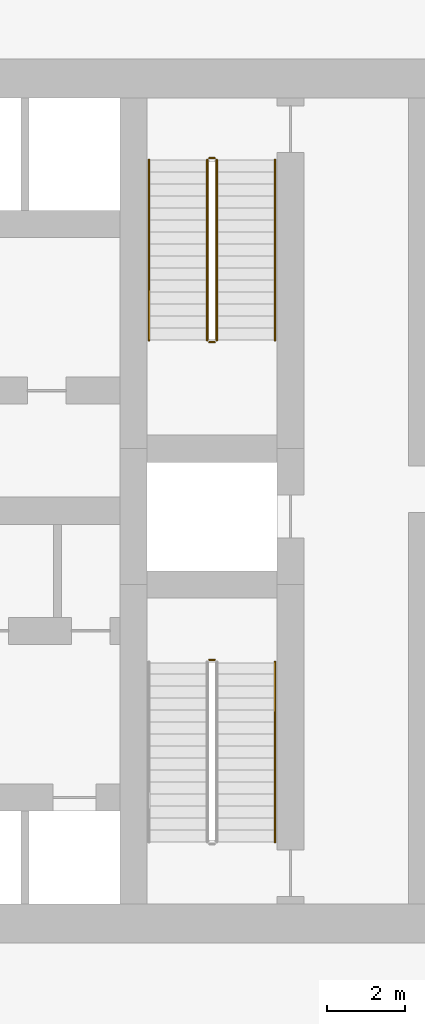
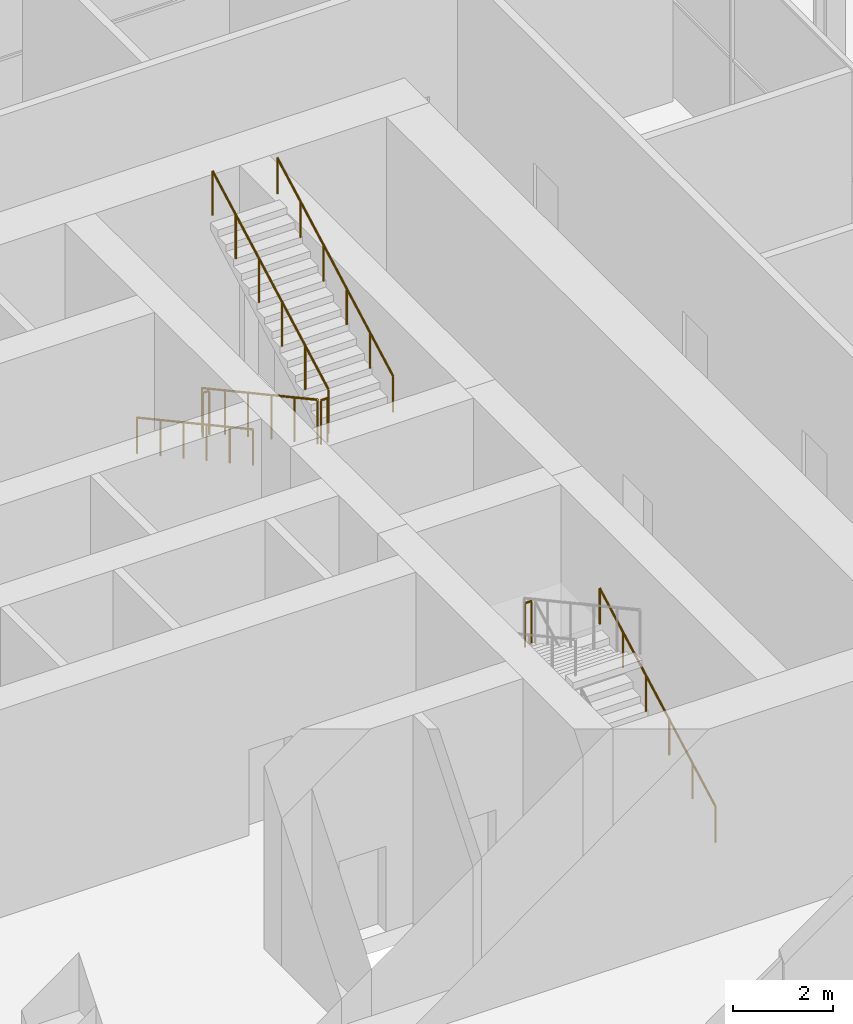
# One storey, part 21 of 22: 8 railings.
"""IFC4 building model written with IfcOpenShell, lengths in metres."""

from ifc_helpers import new_model, si_unit, direction, frame, origin, origin_2d, place, context, subcontext, project, spatial, circle, extrude, material, type_object, element, save


model = new_model("IFC4")

# Units and contexts
model_context = context("Model", 3, precision=1e-05, world=origin(), true_north=direction((0.0, 1.0)))
body_context = subcontext(model_context, "Body", "Model", "MODEL_VIEW")
ifc_project = project(units=[si_unit("LENGTHUNIT", "METRE"), si_unit("AREAUNIT", "SQUARE_METRE"), si_unit("VOLUMEUNIT", "CUBIC_METRE"), si_unit("PLANEANGLEUNIT", "RADIAN"), si_unit("MASSUNIT", "GRAM", prefix="KILO")], contexts=[model_context])

# Site, building, storey
site_placement = place(None, origin())
site = spatial("IfcSite", under=ifc_project, at=site_placement, CompositionType="ELEMENT")
building_placement = place(site_placement, origin())
building = spatial("IfcBuilding", under=site, at=building_placement, Name="Madar Terraces", CompositionType="ELEMENT")
storey_placement = place(building_placement, frame((0.0, 0.0, 24.0)))
storey = spatial("IfcBuildingStorey", under=building, at=storey_placement, Name="L05", CompositionType="ELEMENT", Elevation=24.0)

# Railings
ifc_material_1 = material(Name="Stainless steel railing", Category="steel")
railing_type_1 = type_object("IfcRailingType", Name="Stair guard 1100", PredefinedType="GUARDRAIL", material=ifc_material_1)
railing_1_placement = place(storey_placement, frame((41.199951171875, 35.199951171875, 0.168701171875)))
element("IfcRailing", 1, at=railing_1_placement, inside=storey, type_object=railing_type_1, Name="L05 ST2 stair guard 1", PredefinedType="GUARDRAIL", context=body_context, shape_type="SweptSolid", body=[
    extrude(circle(Radius=0.02392578125, at=origin_2d()), frame((0.0, 0.0, 1.076171875), z_axis=(0.0, -0.878297076953, 0.478115304728), x_axis=(1.0, 0.0, 0.0)), (0.0, 0.0, 1.0), 5.294189453125),
    extrude(circle(Radius=0.02099609375, at=origin_2d()), origin(), (0.0, 0.0, 1.0), 1.052001953125),
    extrude(circle(Radius=0.02099609375, at=origin_2d()), frame((0.0, -0.929931640625, 0.50634765625)), (0.0, 0.0, 1.0), 1.052001953125),
    extrude(circle(Radius=0.02099609375, at=origin_2d()), frame((0.0, -1.85986328125, 1.012451171875)), (0.0, 0.0, 1.0), 1.052001953125),
    extrude(circle(Radius=0.02099609375, at=origin_2d()), frame((0.0, -2.7900390625, 1.518798828125)), (0.0, 0.0, 1.0), 1.052001953125),
    extrude(circle(Radius=0.02099609375, at=origin_2d()), frame((0.0, -3.719970703125, 2.02490234375)), (0.0, 0.0, 1.0), 1.052001953125),
    extrude(circle(Radius=0.02099609375, at=origin_2d()), frame((0.0, -4.64990234375, 2.53125)), (0.0, 0.0, 1.0), 1.052001953125),
])
railing_2_placement = place(storey_placement, frame((41.25, 30.5, 2.699951171875)))
element("IfcRailing", 2, at=railing_2_placement, inside=storey, type_object=railing_type_1, Name="L05 ST2 stair guard 2", PredefinedType="GUARDRAIL", context=body_context, shape_type="SweptSolid", body=[
    extrude(circle(Radius=0.02392578125, at=origin_2d()), frame((0.0, 0.0, 1.076171875), z_axis=(1.0, 0.0, 0.0), x_axis=(0.0, 1.0, 0.0)), (0.0, 0.0, 1.0), 0.14990234375),
    extrude(circle(Radius=0.02099609375, at=origin_2d()), origin(), (0.0, 0.0, 1.0), 1.052001953125),
    extrude(circle(Radius=0.02099609375, at=origin_2d()), frame((0.14990234375, 0.0, 0.0)), (0.0, 0.0, 1.0), 1.052001953125),
])
railing_3_placement = place(storey_placement, frame((41.449951171875, 30.550048828125, 2.86865234375)))
element("IfcRailing", 3, at=railing_3_placement, inside=storey, type_object=railing_type_1, Name="L05 ST2 stair guard 3", PredefinedType="GUARDRAIL", context=body_context, shape_type="SweptSolid", body=[
    extrude(circle(Radius=0.02392578125, at=origin_2d()), frame((0.0, 0.0, 1.076171875), z_axis=(0.0, 0.878297076953, 0.478115304728), x_axis=(-1.0, 0.0, 0.0)), (0.0, 0.0, 1.0), 5.294189453125),
    extrude(circle(Radius=0.02099609375, at=origin_2d()), origin(), (0.0, 0.0, 1.0), 1.052001953125),
    extrude(circle(Radius=0.02099609375, at=origin_2d()), frame((0.0, 0.929931640625, 0.50634765625)), (0.0, 0.0, 1.0), 1.052001953125),
    extrude(circle(Radius=0.02099609375, at=origin_2d()), frame((0.0, 1.85986328125, 1.012451171875)), (0.0, 0.0, 1.0), 1.052001953125),
    extrude(circle(Radius=0.02099609375, at=origin_2d()), frame((0.0, 2.7900390625, 1.518798828125)), (0.0, 0.0, 1.0), 1.052001953125),
    extrude(circle(Radius=0.02099609375, at=origin_2d()), frame((0.0, 3.719970703125, 2.02490234375)), (0.0, 0.0, 1.0), 1.052001953125),
    extrude(circle(Radius=0.02099609375, at=origin_2d()), frame((0.0, 4.64990234375, 2.53125)), (0.0, 0.0, 1.0), 1.052001953125),
])
railing_4_placement = place(storey_placement, frame((41.25, 35.25, 0.0)))
element("IfcRailing", 4, at=railing_4_placement, inside=storey, type_object=railing_type_1, Name="L05 ST2 stair guard 4", PredefinedType="GUARDRAIL", context=body_context, shape_type="SweptSolid", body=[
    extrude(circle(Radius=0.02392578125, at=origin_2d()), frame((0.0, 0.0, 1.076171875), z_axis=(1.0, 0.0, 0.0), x_axis=(0.0, 1.0, 0.0)), (0.0, 0.0, 1.0), 0.14990234375),
    extrude(circle(Radius=0.02099609375, at=origin_2d()), origin(), (0.0, 0.0, 1.0), 1.052001953125),
    extrude(circle(Radius=0.02099609375, at=origin_2d()), frame((0.14990234375, 0.0, 0.0)), (0.0, 0.0, 1.0), 1.052001953125),
])
railing_5_placement = place(storey_placement, frame((41.39990234375, 22.300048828125, 2.699951171875)))
element("IfcRailing", 5, at=railing_5_placement, inside=storey, type_object=railing_type_1, Name="L05 ST3 stair guard 2", PredefinedType="GUARDRAIL", context=body_context, shape_type="SweptSolid", body=[
    extrude(circle(Radius=0.02392578125, at=origin_2d()), frame((0.0, 0.0, 1.076171875), z_axis=(-1.0, 0.0, 0.0), x_axis=(0.0, -1.0, 0.0)), (0.0, 0.0, 1.0), 0.14990234375),
    extrude(circle(Radius=0.02099609375, at=origin_2d()), origin(), (0.0, 0.0, 1.0), 1.052001953125),
    extrude(circle(Radius=0.02099609375, at=origin_2d()), frame((-0.14990234375, 0.0, 0.0)), (0.0, 0.0, 1.0), 1.052001953125),
])
ifc_material_2 = material(Name="Stainless steel railing", Category="steel")
railing_type_2 = type_object("IfcRailingType", Name="Stair handrail 900", PredefinedType="HANDRAIL", material=ifc_material_2)
railing_6_placement = place(storey_placement, frame((39.699951171875, 35.199951171875, 0.168701171875)))
element("IfcRailing", 6, at=railing_6_placement, inside=storey, type_object=railing_type_2, Name="L05 ST2 stair handrail 1", PredefinedType="HANDRAIL", context=body_context, shape_type="SweptSolid", body=[
    extrude(circle(Radius=0.02392578125, at=origin_2d()), frame((0.0, 0.0, 0.8759765625), z_axis=(0.0, -0.878297076953, 0.478115304728), x_axis=(1.0, 0.0, 0.0)), (0.0, 0.0, 1.0), 5.294189453125),
    extrude(circle(Radius=0.02099609375, at=origin_2d()), origin(), (0.0, 0.0, 1.0), 0.851806640625),
    extrude(circle(Radius=0.02099609375, at=origin_2d()), frame((0.0, -0.929931640625, 0.50634765625)), (0.0, 0.0, 1.0), 0.851806640625),
    extrude(circle(Radius=0.02099609375, at=origin_2d()), frame((0.0, -1.85986328125, 1.012451171875)), (0.0, 0.0, 1.0), 0.851806640625),
    extrude(circle(Radius=0.02099609375, at=origin_2d()), frame((0.0, -2.7900390625, 1.518798828125)), (0.0, 0.0, 1.0), 0.851806640625),
    extrude(circle(Radius=0.02099609375, at=origin_2d()), frame((0.0, -3.719970703125, 2.02490234375)), (0.0, 0.0, 1.0), 0.851806640625),
    extrude(circle(Radius=0.02099609375, at=origin_2d()), frame((0.0, -4.64990234375, 2.53125)), (0.0, 0.0, 1.0), 0.851806640625),
])
for number, where, name in (
    (7, (42.949951171875, 30.550048828125, 2.86865234375), "L05 ST2 stair handrail 2"),
    (8, (42.949951171875, 17.60009765625, 0.168701171875), "L05 ST3 stair handrail 1"),
):
    element("IfcRailing", number, at=place(storey_placement, frame(where)), inside=storey, type_object=railing_type_2, Name=name, PredefinedType="HANDRAIL", context=body_context, shape_type="SweptSolid", body=[
        extrude(circle(Radius=0.02392578125, at=origin_2d()), frame((0.0, 0.0, 0.8759765625), z_axis=(0.0, 0.878297076953, 0.478115304728), x_axis=(-1.0, 0.0, 0.0)), (0.0, 0.0, 1.0), 5.294189453125),
        extrude(circle(Radius=0.02099609375, at=origin_2d()), origin(), (0.0, 0.0, 1.0), 0.851806640625),
        extrude(circle(Radius=0.02099609375, at=origin_2d()), frame((0.0, 0.929931640625, 0.50634765625)), (0.0, 0.0, 1.0), 0.851806640625),
        extrude(circle(Radius=0.02099609375, at=origin_2d()), frame((0.0, 1.85986328125, 1.012451171875)), (0.0, 0.0, 1.0), 0.851806640625),
        extrude(circle(Radius=0.02099609375, at=origin_2d()), frame((0.0, 2.7900390625, 1.518798828125)), (0.0, 0.0, 1.0), 0.851806640625),
        extrude(circle(Radius=0.02099609375, at=origin_2d()), frame((0.0, 3.719970703125, 2.02490234375)), (0.0, 0.0, 1.0), 0.851806640625),
        extrude(circle(Radius=0.02099609375, at=origin_2d()), frame((0.0, 4.64990234375, 2.53125)), (0.0, 0.0, 1.0), 0.851806640625),
    ])

save(model, "model.ifc")
